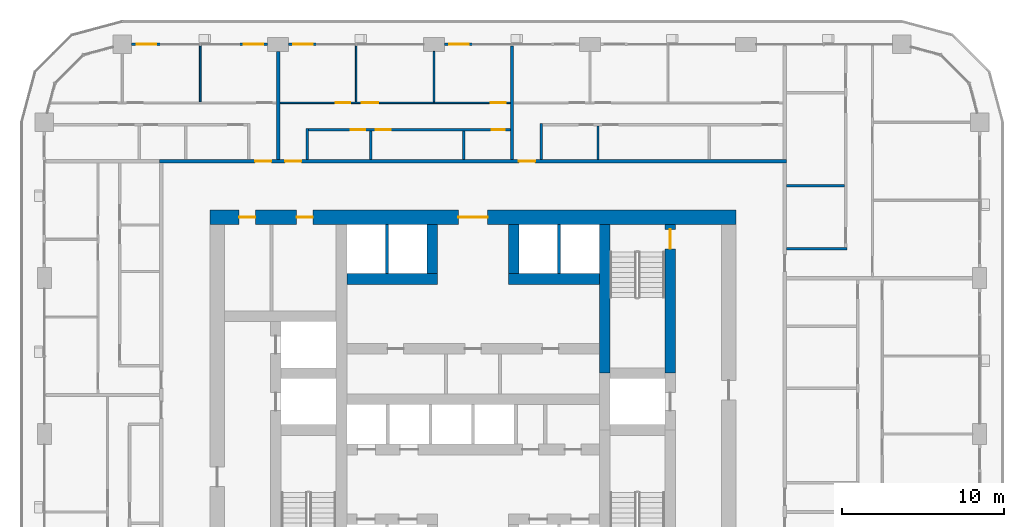
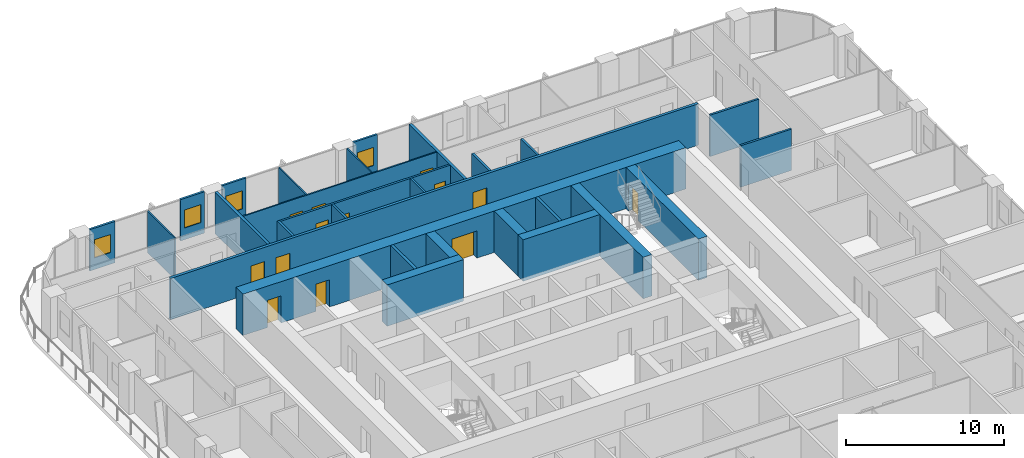
# One storey, part 14 of 22: 28 walls, 13 doors, 4 windows, 17 openings.
"""IFC4 building model written with IfcOpenShell, lengths in metres."""

from ifc_helpers import new_model, si_unit, direction, frame, frame_2d, origin, place, context, subcontext, project, spatial, rectangle, extrude, material, layer, layer_set, type_object, element, fill, save


model = new_model("IFC4")

# Units and contexts
model_context = context("Model", 3, precision=1e-05, world=origin(), true_north=direction((0.0, 1.0)))
body_context = subcontext(model_context, "Body", "Model", "MODEL_VIEW")
ifc_project = project(units=[si_unit("LENGTHUNIT", "METRE"), si_unit("AREAUNIT", "SQUARE_METRE"), si_unit("VOLUMEUNIT", "CUBIC_METRE"), si_unit("PLANEANGLEUNIT", "RADIAN"), si_unit("MASSUNIT", "GRAM", prefix="KILO")], contexts=[model_context])

# Site, building, storey
site_placement = place(None, origin())
site = spatial("IfcSite", under=ifc_project, at=site_placement, CompositionType="ELEMENT")
building_placement = place(site_placement, origin())
building = spatial("IfcBuilding", under=site, at=building_placement, Name="Madar Terraces", CompositionType="ELEMENT")
storey_placement = place(building_placement, frame((0.0, 0.0, 76.800048828125)))
storey = spatial("IfcBuildingStorey", under=building, at=storey_placement, Name="L19", CompositionType="ELEMENT", Elevation=76.800048828125)

# Wall
ifc_material_1 = material(Name="Concrete C80/95", Category="concrete")
ifc_layer_1 = layer(ifc_material_1, 0.64990234375)
ifc_layer_set_1 = layer_set([ifc_layer_1], Name="Concrete C80/95 (CIW2 RC wall 650)")
wall_type_1 = type_object("IfcWallType", Name="CIW2 RC wall 650", PredefinedType="SHEAR", material=ifc_layer_set_1)
wall_1_placement = place(storey_placement, frame((39.300048828125, 27.75, 0.0), z_axis=(0.0, 0.0, 1.0), x_axis=(0.0, 1.0, 0.0)))
element("IfcWall", 1, at=wall_1_placement, inside=storey, type_object=wall_type_1, Name="CORE SHAFT WALL", PredefinedType="SHEAR", context=body_context, shape_type="SweptSolid", body=[
    extrude(rectangle(XDim=9.14990234375, YDim=0.64990234375, at=frame_2d((4.574951171875, 0.0))), origin(), (0.0, 0.0, 1.0), 3.199951171875),
])

# Wall, opening, door
wall_2_placement = place(storey_placement, frame((43.35009765625, 27.75, 0.0), z_axis=(0.0, 0.0, 1.0), x_axis=(0.0, 1.0, 0.0)))
wall_2 = element("IfcWall", 2, at=wall_2_placement, inside=storey, type_object=wall_type_1, Name="CORE SHAFT WALL", PredefinedType="SHEAR", context=body_context, shape_type="SweptSolid", body=[
    extrude(rectangle(XDim=9.14990234375, YDim=0.64990234375, at=frame_2d((4.574951171875, 0.0))), origin(), (0.0, 0.0, 1.0), 3.199951171875),
])
opening_1_placement = place(wall_2_placement, frame((7.64990234375, 0.0, 0.0)))
opening_1 = element("IfcOpeningElement", 3, at=opening_1_placement, cuts=wall_2, Name="Opening SD1", PredefinedType="OPENING", context=body_context, shape_type="SweptSolid", body=[
    extrude(rectangle(XDim=1.199951171875, YDim=2.10009765625, at=frame_2d((0.60009765625, 1.050048828125))), frame((0.0, 0.3349609375, 0.0), z_axis=(0.0, -1.0, 0.0), x_axis=(1.0, 0.0, 0.0)), (0.0, 0.0, 1.0), 0.669921875),
])
ifc_material_2 = material(Name="Steel door leaf", Category="steel")
door_type_1 = type_object("IfcDoorType", Name="Stair door 1200 x 2100", OperationType="NOTDEFINED", PredefinedType="DOOR", material=ifc_material_2)
door_1_placement = place(opening_1_placement, origin())
door_1 = element("IfcDoor", 4, at=door_1_placement, inside=storey, type_object=door_type_1, Name="STAIR DOOR", OperationType="SINGLE_SWING_LEFT", OverallHeight=2.10009765625, OverallWidth=1.199951171875, PredefinedType="DOOR", context=body_context, shape_type="SweptSolid", body=[
    extrude(rectangle(XDim=1.199951171875, YDim=2.10009765625, at=frame_2d((0.60009765625, 1.050048828125))), frame((0.0, 0.02490234375, 0.0), z_axis=(0.0, -1.0, 0.0), x_axis=(1.0, 0.0, 0.0)), (0.0, 0.0, 1.0), 0.050048828125),
])
fill(opening_1, door_1)

# Walls
wall_3_placement = place(storey_placement, frame((23.425048828125, 33.550048828125, 0.0), z_axis=(0.0, 0.0, 1.0), x_axis=(1.0, 0.0, 0.0)))
element("IfcWall", 5, at=wall_3_placement, inside=storey, type_object=wall_type_1, Name="CORE SHAFT WALL", PredefinedType="SHEAR", context=body_context, shape_type="SweptSolid", body=[
    extrude(rectangle(XDim=5.599853515625, YDim=0.64990234375, at=frame_2d((2.7998046875, 0.0))), origin(), (0.0, 0.0, 1.0), 3.199951171875),
])
wall_4_placement = place(storey_placement, frame((33.375, 33.550048828125, 0.0), z_axis=(0.0, 0.0, 1.0), x_axis=(1.0, 0.0, 0.0)))
element("IfcWall", 6, at=wall_4_placement, inside=storey, type_object=wall_type_1, Name="CORE SHAFT WALL", PredefinedType="SHEAR", context=body_context, shape_type="SweptSolid", body=[
    extrude(rectangle(XDim=5.60009765625, YDim=0.64990234375, at=frame_2d((2.800048828125, 0.0))), origin(), (0.0, 0.0, 1.0), 3.199951171875),
])
for number, where, z_axis, x_axis, name in (
    (7, (28.699951171875, 33.875, 0.0), (0.0, 0.0, 1.0), (0.0, 1.0, 0.0), "CORE SHAFT WALL"),
    (8, (33.699951171875, 33.875, 0.0), (0.0, 0.0, 1.0), (0.0, 1.0, 0.0), "CORE SHAFT WALL"),
):
    element("IfcWall", number, at=place(storey_placement, frame(where, z_axis=z_axis, x_axis=x_axis)), inside=storey, type_object=wall_type_1, Name=name, PredefinedType="SHEAR", context=body_context, shape_type="SweptSolid", body=[
        extrude(rectangle(XDim=3.02490234375, YDim=0.64990234375, at=frame_2d((1.512451171875, 0.0))), origin(), (0.0, 0.0, 1.0), 3.199951171875),
    ])

# Wall, openings, doors
ifc_material_3 = material(Name="Concrete C80/95", Category="concrete")
ifc_layer_2 = layer(ifc_material_3, 0.89990234375)
ifc_layer_set_2 = layer_set([ifc_layer_2], Name="Concrete C80/95 (CRW2 RC wall 900)")
wall_type_2 = type_object("IfcWallType", Name="CRW2 RC wall 900", PredefinedType="SHEAR", material=ifc_layer_set_2)
wall_5_placement = place(storey_placement, frame((15.0, 37.35009765625, 0.0), z_axis=(0.0, 0.0, 1.0), x_axis=(1.0, 0.0, 0.0)))
wall_5 = element("IfcWall", 9, at=wall_5_placement, inside=storey, type_object=wall_type_2, Name="CORE OUTER WALL", PredefinedType="SHEAR", context=body_context, shape_type="SweptSolid", body=[
    extrude(rectangle(XDim=32.39990234375, YDim=0.89990234375, at=frame_2d((16.199951171875, 0.0))), origin(), (0.0, 0.0, 1.0), 3.199951171875),
])
opening_2_placement = place(wall_5_placement, frame((15.300048828125, 0.0, 0.0)))
opening_2 = element("IfcOpeningElement", 10, at=opening_2_placement, cuts=wall_5, Name="Opening KD1", PredefinedType="OPENING", context=body_context, shape_type="SweptSolid", body=[
    extrude(rectangle(XDim=1.800048828125, YDim=2.10009765625, at=frame_2d((0.89990234375, 1.050048828125))), frame((0.0, 0.4599609375, 0.0), z_axis=(0.0, -1.0, 0.0), x_axis=(1.0, 0.0, 0.0)), (0.0, 0.0, 1.0), 0.919921875),
])
opening_3_placement = place(wall_5_placement, frame((1.793701171875, 0.0, 0.0)))
opening_3 = element("IfcOpeningElement", 11, at=opening_3_placement, cuts=wall_5, Name="Opening KD2", PredefinedType="OPENING", context=body_context, shape_type="SweptSolid", body=[
    extrude(rectangle(XDim=1.0, YDim=2.10009765625, at=frame_2d((0.5, 1.050048828125))), frame((0.0, 0.4599609375, 0.0), z_axis=(0.0, -1.0, 0.0), x_axis=(1.0, 0.0, 0.0)), (0.0, 0.0, 1.0), 0.919921875),
])
opening_4_placement = place(wall_5_placement, frame((5.331298828125, 0.0, 0.0)))
opening_4 = element("IfcOpeningElement", 12, at=opening_4_placement, cuts=wall_5, Name="Opening KD2", PredefinedType="OPENING", context=body_context, shape_type="SweptSolid", body=[
    extrude(rectangle(XDim=1.0, YDim=2.10009765625, at=frame_2d((0.5, 1.050048828125))), frame((0.0, 0.4599609375, 0.0), z_axis=(0.0, -1.0, 0.0), x_axis=(1.0, 0.0, 0.0)), (0.0, 0.0, 1.0), 0.919921875),
])
ifc_material_4 = material(Name="Steel door leaf", Category="steel")
door_type_2 = type_object("IfcDoorType", Name="Lobby door pair 1800 x 2100", OperationType="DOUBLE_DOOR_SINGLE_SWING", PredefinedType="DOOR", material=ifc_material_4)
door_2_placement = place(opening_2_placement, origin())
door_2 = element("IfcDoor", 13, at=door_2_placement, inside=storey, type_object=door_type_2, Name="LIFT LOBBY DOOR", OperationType="DOUBLE_DOOR_SINGLE_SWING", OverallHeight=2.10009765625, OverallWidth=1.800048828125, PredefinedType="DOOR", context=body_context, shape_type="SweptSolid", body=[
    extrude(rectangle(XDim=1.800048828125, YDim=2.10009765625, at=frame_2d((0.89990234375, 1.050048828125))), frame((0.0, 0.02490234375, 0.0), z_axis=(0.0, -1.0, 0.0), x_axis=(1.0, 0.0, 0.0)), (0.0, 0.0, 1.0), 0.050048828125),
])
fill(opening_2, door_2)
ifc_material_5 = material(Name="Steel door leaf", Category="steel")
door_type_3 = type_object("IfcDoorType", Name="Service room door 1000 x 2100", OperationType="NOTDEFINED", PredefinedType="DOOR", material=ifc_material_5)
door_3_placement = place(opening_3_placement, origin())
door_3 = element("IfcDoor", 14, at=door_3_placement, inside=storey, type_object=door_type_3, Name="SERVICE ROOM DOOR", OperationType="SINGLE_SWING_RIGHT", OverallHeight=2.10009765625, OverallWidth=1.0, PredefinedType="DOOR", context=body_context, shape_type="SweptSolid", body=[
    extrude(rectangle(XDim=1.0, YDim=2.10009765625, at=frame_2d((0.5, 1.050048828125))), frame((0.0, 0.02490234375, 0.0), z_axis=(0.0, -1.0, 0.0), x_axis=(1.0, 0.0, 0.0)), (0.0, 0.0, 1.0), 0.050048828125),
])
fill(opening_3, door_3)
door_4_placement = place(opening_4_placement, origin())
door_4 = element("IfcDoor", 15, at=door_4_placement, inside=storey, type_object=door_type_3, Name="SERVICE ROOM DOOR", OperationType="SINGLE_SWING_LEFT", OverallHeight=2.10009765625, OverallWidth=1.0, PredefinedType="DOOR", context=body_context, shape_type="SweptSolid", body=[
    extrude(rectangle(XDim=1.0, YDim=2.10009765625, at=frame_2d((0.5, 1.050048828125))), frame((0.0, 0.02490234375, 0.0), z_axis=(0.0, -1.0, 0.0), x_axis=(1.0, 0.0, 0.0)), (0.0, 0.0, 1.0), 0.050048828125),
])
fill(opening_4, door_4)

# Walls
ifc_material_6 = material(Name="Concrete C40/50", Category="concrete")
ifc_layer_3 = layer(ifc_material_6, 0.199951171875)
ifc_layer_set_3 = layer_set([ifc_layer_3], Name="Core shaft dividing wall 200 C40/50")
wall_type_3 = type_object("IfcWallType", Name="Core shaft dividing wall 200 C40/50", PredefinedType="SOLIDWALL", material=ifc_layer_set_3)
for number, where, z_axis, x_axis, name in (
    (16, (25.89990234375, 33.875, 0.0), (0.0, 0.0, 1.0), (0.0, 1.0, 0.0), "SHAFT DIVIDING WALL"),
    (17, (36.5, 33.875, 0.0), (0.0, 0.0, 1.0), (0.0, 1.0, 0.0), "SHAFT DIVIDING WALL"),
):
    element("IfcWall", number, at=place(storey_placement, frame(where, z_axis=z_axis, x_axis=x_axis)), inside=storey, type_object=wall_type_3, Name=name, PredefinedType="SOLIDWALL", context=body_context, shape_type="SweptSolid", body=[
        extrude(rectangle(XDim=3.02490234375, YDim=0.199951171875, at=frame_2d((1.512451171875, 0.0))), origin(), (0.0, 0.0, 1.0), 3.199951171875),
    ])

# Wall, opening, window
ifc_material_7 = material(Name="Aluminium composite panel, black, over insulated backing", Category="aluminium")
ifc_layer_4 = layer(ifc_material_7, 0.14990234375)
ifc_layer_set_4 = layer_set([ifc_layer_4], Name="Facade bay panel 150")
wall_type_4 = type_object("IfcWallType", Name="Facade bay panel 150", PredefinedType="SOLIDWALL", material=ifc_layer_set_4)
wall_6_placement = place(storey_placement, frame((31.199951171875, 48.0, 0.0), z_axis=(0.0, 0.0, 1.0), x_axis=(-1.0, 0.0, 0.0)))
wall_6 = element("IfcWall", 18, at=wall_6_placement, inside=storey, type_object=wall_type_4, Name="Facade bay panel", PredefinedType="SOLIDWALL", context=body_context, shape_type="SweptSolid", body=[
    extrude(rectangle(XDim=1.75, YDim=0.14990234375, at=frame_2d((0.875, 0.0))), origin(), (0.0, 0.0, 1.0), 3.199951171875),
])
opening_5_placement = place(wall_6_placement, frame((0.27490234375, 0.0, 0.89990234375)))
opening_5 = element("IfcOpeningElement", 19, at=opening_5_placement, cuts=wall_6, Name="Opening W1", PredefinedType="OPENING", context=body_context, shape_type="SweptSolid", body=[
    extrude(rectangle(XDim=1.199951171875, YDim=1.39990234375, at=frame_2d((0.60009765625, 0.699951171875))), frame((0.0, 0.0849609375, 0.0), z_axis=(0.0, -1.0, 0.0), x_axis=(1.0, 0.0, 0.0)), (0.0, 0.0, 1.0), 0.169921875),
])
ifc_material_8 = material(Name="Glass, clear, with black aluminium frame", Category="aluminium")
window_type = type_object("IfcWindowType", Name="Vent window 1200 x 1400", PartitioningType="SINGLE_PANEL", PredefinedType="WINDOW", material=ifc_material_8)
window_1_placement = place(opening_5_placement, origin())
window_1 = element("IfcWindow", 20, at=window_1_placement, inside=storey, type_object=window_type, Name="Operable vent window", OverallHeight=1.39990234375, OverallWidth=1.199951171875, PartitioningType="SINGLE_PANEL", PredefinedType="WINDOW", context=body_context, shape_type="SweptSolid", body=[
    extrude(rectangle(XDim=1.199951171875, YDim=1.39990234375, at=frame_2d((0.60009765625, 0.699951171875))), frame((0.0, 0.030029296875, 0.0), z_axis=(0.0, -1.0, 0.0), x_axis=(1.0, 0.0, 0.0)), (0.0, 0.0, 1.0), 0.06005859375),
])
fill(opening_5, window_1)

wall_7_placement = place(storey_placement, frame((21.60009765625, 48.0, 0.0), z_axis=(0.0, 0.0, 1.0), x_axis=(-1.0, 0.0, 0.0)))
wall_7 = element("IfcWall", 21, at=wall_7_placement, inside=storey, type_object=wall_type_4, Name="Facade bay panel", PredefinedType="SOLIDWALL", context=body_context, shape_type="SweptSolid", body=[
    extrude(rectangle(XDim=1.75, YDim=0.14990234375, at=frame_2d((0.875, 0.0))), origin(), (0.0, 0.0, 1.0), 3.199951171875),
])
opening_6_placement = place(wall_7_placement, frame((0.27490234375, 0.0, 0.89990234375)))
opening_6 = element("IfcOpeningElement", 22, at=opening_6_placement, cuts=wall_7, Name="Opening W1", PredefinedType="OPENING", context=body_context, shape_type="SweptSolid", body=[
    extrude(rectangle(XDim=1.199951171875, YDim=1.39990234375, at=frame_2d((0.60009765625, 0.699951171875))), frame((0.0, 0.0849609375, 0.0), z_axis=(0.0, -1.0, 0.0), x_axis=(1.0, 0.0, 0.0)), (0.0, 0.0, 1.0), 0.169921875),
])
window_2_placement = place(opening_6_placement, origin())
window_2 = element("IfcWindow", 23, at=window_2_placement, inside=storey, type_object=window_type, Name="Operable vent window", OverallHeight=1.39990234375, OverallWidth=1.199951171875, PartitioningType="SINGLE_PANEL", PredefinedType="WINDOW", context=body_context, shape_type="SweptSolid", body=[
    extrude(rectangle(XDim=1.199951171875, YDim=1.39990234375, at=frame_2d((0.60009765625, 0.699951171875))), frame((0.0, 0.030029296875, 0.0), z_axis=(0.0, -1.0, 0.0), x_axis=(1.0, 0.0, 0.0)), (0.0, 0.0, 1.0), 0.06005859375),
])
fill(opening_6, window_2)

wall_8_placement = place(storey_placement, frame((18.550048828125, 48.0, 0.0), z_axis=(0.0, 0.0, 1.0), x_axis=(-1.0, 0.0, 0.0)))
wall_8 = element("IfcWall", 24, at=wall_8_placement, inside=storey, type_object=wall_type_4, Name="Facade bay panel", PredefinedType="SOLIDWALL", context=body_context, shape_type="SweptSolid", body=[
    extrude(rectangle(XDim=1.75, YDim=0.14990234375, at=frame_2d((0.875, 0.0))), origin(), (0.0, 0.0, 1.0), 3.199951171875),
])
opening_7_placement = place(wall_8_placement, frame((0.27490234375, 0.0, 0.89990234375)))
opening_7 = element("IfcOpeningElement", 25, at=opening_7_placement, cuts=wall_8, Name="Opening W1", PredefinedType="OPENING", context=body_context, shape_type="SweptSolid", body=[
    extrude(rectangle(XDim=1.199951171875, YDim=1.39990234375, at=frame_2d((0.60009765625, 0.699951171875))), frame((0.0, 0.0849609375, 0.0), z_axis=(0.0, -1.0, 0.0), x_axis=(1.0, 0.0, 0.0)), (0.0, 0.0, 1.0), 0.169921875),
])
window_3_placement = place(opening_7_placement, origin())
window_3 = element("IfcWindow", 26, at=window_3_placement, inside=storey, type_object=window_type, Name="Operable vent window", OverallHeight=1.39990234375, OverallWidth=1.199951171875, PartitioningType="SINGLE_PANEL", PredefinedType="WINDOW", context=body_context, shape_type="SweptSolid", body=[
    extrude(rectangle(XDim=1.199951171875, YDim=1.39990234375, at=frame_2d((0.60009765625, 0.699951171875))), frame((0.0, 0.030029296875, 0.0), z_axis=(0.0, -1.0, 0.0), x_axis=(1.0, 0.0, 0.0)), (0.0, 0.0, 1.0), 0.06005859375),
])
fill(opening_7, window_3)

wall_9_placement = place(storey_placement, frame((12.0, 48.0, 0.0), z_axis=(0.0, 0.0, 1.0), x_axis=(-1.0, 0.0, 0.0)))
wall_9 = element("IfcWall", 27, at=wall_9_placement, inside=storey, type_object=wall_type_4, Name="Facade bay panel", PredefinedType="SOLIDWALL", context=body_context, shape_type="SweptSolid", body=[
    extrude(rectangle(XDim=1.824951171875, YDim=0.14990234375, at=frame_2d((0.91259765625, 0.0))), origin(), (0.0, 0.0, 1.0), 3.199951171875),
])
opening_8_placement = place(wall_9_placement, frame((0.3125, 0.0, 0.89990234375)))
opening_8 = element("IfcOpeningElement", 28, at=opening_8_placement, cuts=wall_9, Name="Opening W1", PredefinedType="OPENING", context=body_context, shape_type="SweptSolid", body=[
    extrude(rectangle(XDim=1.199951171875, YDim=1.39990234375, at=frame_2d((0.60009765625, 0.699951171875))), frame((0.0, 0.0849609375, 0.0), z_axis=(0.0, -1.0, 0.0), x_axis=(1.0, 0.0, 0.0)), (0.0, 0.0, 1.0), 0.169921875),
])
window_4_placement = place(opening_8_placement, origin())
window_4 = element("IfcWindow", 29, at=window_4_placement, inside=storey, type_object=window_type, Name="Operable vent window", OverallHeight=1.39990234375, OverallWidth=1.199951171875, PartitioningType="SINGLE_PANEL", PredefinedType="WINDOW", context=body_context, shape_type="SweptSolid", body=[
    extrude(rectangle(XDim=1.199951171875, YDim=1.39990234375, at=frame_2d((0.60009765625, 0.699951171875))), frame((0.0, 0.030029296875, 0.0), z_axis=(0.0, -1.0, 0.0), x_axis=(1.0, 0.0, 0.0)), (0.0, 0.0, 1.0), 0.06005859375),
])
fill(opening_8, window_4)

# Walls
ifc_material_9 = material(Name="Gypsum board on steel studs", Category="steel")
ifc_layer_5 = layer(ifc_material_9, 0.10009765625)
ifc_layer_set_5 = layer_set([ifc_layer_5], Name="Flat partition 100")
wall_type_5 = type_object("IfcWallType", Name="Flat partition 100", PredefinedType="PARTITIONING", material=ifc_layer_set_5)
wall_10_placement = place(storey_placement, frame((24.0, 44.449951171875, 0.0), z_axis=(0.0, 0.0, 1.0), x_axis=(0.0, 1.0, 0.0)))
element("IfcWall", 30, at=wall_10_placement, inside=storey, type_object=wall_type_5, Name="Flat partition 100", PredefinedType="PARTITIONING", context=body_context, shape_type="SweptSolid", body=[
    extrude(rectangle(XDim=3.449951171875, YDim=0.10009765625, at=frame_2d((1.72509765625, 0.0))), origin(), (0.0, 0.0, 1.0), 3.199951171875),
])
wall_11_placement = place(storey_placement, frame((28.800048828125, 44.449951171875, 0.0), z_axis=(0.0, 0.0, 1.0), x_axis=(0.0, 1.0, 0.0)))
element("IfcWall", 31, at=wall_11_placement, inside=storey, type_object=wall_type_5, Name="Flat partition 100", PredefinedType="PARTITIONING", context=body_context, shape_type="SweptSolid", body=[
    extrude(rectangle(XDim=3.125, YDim=0.10009765625, at=frame_2d((1.5625, 0.0))), origin(), (0.0, 0.0, 1.0), 3.199951171875),
])

# Wall, openings, doors
wall_12_placement = place(storey_placement, frame((19.300048828125, 44.39990234375, 0.0), z_axis=(0.0, 0.0, 1.0), x_axis=(1.0, 0.0, 0.0)))
wall_12 = element("IfcWall", 32, at=wall_12_placement, inside=storey, type_object=wall_type_5, Name="Flat partition 100", PredefinedType="PARTITIONING", context=body_context, shape_type="SweptSolid", body=[
    extrude(rectangle(XDim=14.199951171875, YDim=0.10009765625, at=frame_2d((7.10009765625, 0.0))), origin(), (0.0, 0.0, 1.0), 3.199951171875),
])
opening_9_placement = place(wall_12_placement, frame((3.449951171875, 0.0, 0.0)))
opening_9 = element("IfcOpeningElement", 33, at=opening_9_placement, cuts=wall_12, Name="Opening D2", PredefinedType="OPENING", context=body_context, shape_type="SweptSolid", body=[
    extrude(rectangle(XDim=0.89990234375, YDim=2.10009765625, at=frame_2d((0.449951171875, 1.050048828125))), frame((0.0, 0.06005859375, 0.0), z_axis=(0.0, -1.0, 0.0), x_axis=(1.0, 0.0, 0.0)), (0.0, 0.0, 1.0), 0.1201171875),
])
opening_10_placement = place(wall_12_placement, frame((5.050048828125, 0.0, 0.0)))
opening_10 = element("IfcOpeningElement", 34, at=opening_10_placement, cuts=wall_12, Name="Opening D3", PredefinedType="OPENING", context=body_context, shape_type="SweptSolid", body=[
    extrude(rectangle(XDim=1.0, YDim=2.10009765625, at=frame_2d((0.5, 1.050048828125))), frame((0.0, 0.06005859375, 0.0), z_axis=(0.0, -1.0, 0.0), x_axis=(1.0, 0.0, 0.0)), (0.0, 0.0, 1.0), 0.1201171875),
])
opening_11_placement = place(wall_12_placement, frame((13.0, 0.0, 0.0)))
opening_11 = element("IfcOpeningElement", 35, at=opening_11_placement, cuts=wall_12, Name="Opening D2", PredefinedType="OPENING", context=body_context, shape_type="SweptSolid", body=[
    extrude(rectangle(XDim=0.89990234375, YDim=2.10009765625, at=frame_2d((0.449951171875, 1.050048828125))), frame((0.0, 0.06005859375, 0.0), z_axis=(0.0, -1.0, 0.0), x_axis=(1.0, 0.0, 0.0)), (0.0, 0.0, 1.0), 0.1201171875),
])
ifc_material_10 = material(Name="Timber door leaf", Category="wood")
door_type_4 = type_object("IfcDoorType", Name="Flat living room door 1000", OperationType="NOTDEFINED", PredefinedType="DOOR", material=ifc_material_10)
door_5_placement = place(opening_10_placement, origin())
door_5 = element("IfcDoor", 36, at=door_5_placement, inside=storey, type_object=door_type_4, Name="Flat living room door 1000", OperationType="SINGLE_SWING_LEFT", OverallHeight=2.10009765625, OverallWidth=1.0, PredefinedType="DOOR", context=body_context, shape_type="SweptSolid", body=[
    extrude(rectangle(XDim=1.0, YDim=2.10009765625, at=frame_2d((0.5, 1.050048828125))), frame((0.0, 0.02490234375, 0.0), z_axis=(0.0, -1.0, 0.0), x_axis=(1.0, 0.0, 0.0)), (0.0, 0.0, 1.0), 0.050048828125),
])
fill(opening_10, door_5)
ifc_material_11 = material(Name="Timber door leaf", Category="wood")
door_type_5 = type_object("IfcDoorType", Name="Flat room door 900", OperationType="NOTDEFINED", PredefinedType="DOOR", material=ifc_material_11)
door_6_placement = place(opening_9_placement, origin())
door_6 = element("IfcDoor", 37, at=door_6_placement, inside=storey, type_object=door_type_5, Name="Flat room door 900", OperationType="SINGLE_SWING_RIGHT", OverallHeight=2.10009765625, OverallWidth=0.89990234375, PredefinedType="DOOR", context=body_context, shape_type="SweptSolid", body=[
    extrude(rectangle(XDim=0.89990234375, YDim=2.10009765625, at=frame_2d((0.449951171875, 1.050048828125))), frame((0.0, 0.02490234375, 0.0), z_axis=(0.0, -1.0, 0.0), x_axis=(1.0, 0.0, 0.0)), (0.0, 0.0, 1.0), 0.050048828125),
])
fill(opening_9, door_6)
door_7_placement = place(opening_11_placement, origin())
door_7 = element("IfcDoor", 38, at=door_7_placement, inside=storey, type_object=door_type_5, Name="Flat room door 900", OperationType="SINGLE_SWING_RIGHT", OverallHeight=2.10009765625, OverallWidth=0.89990234375, PredefinedType="DOOR", context=body_context, shape_type="SweptSolid", body=[
    extrude(rectangle(XDim=0.89990234375, YDim=2.10009765625, at=frame_2d((0.449951171875, 1.050048828125))), frame((0.0, 0.02490234375, 0.0), z_axis=(0.0, -1.0, 0.0), x_axis=(1.0, 0.0, 0.0)), (0.0, 0.0, 1.0), 0.050048828125),
])
fill(opening_11, door_7)

# Wall
wall_13_placement = place(storey_placement, frame((14.39990234375, 44.449951171875, 0.0), z_axis=(0.0, 0.0, 1.0), x_axis=(0.0, 1.0, 0.0)))
element("IfcWall", 39, at=wall_13_placement, inside=storey, type_object=wall_type_5, Name="Flat partition 100", PredefinedType="PARTITIONING", context=body_context, shape_type="SweptSolid", body=[
    extrude(rectangle(XDim=3.449951171875, YDim=0.10009765625, at=frame_2d((1.72509765625, 0.0))), origin(), (0.0, 0.0, 1.0), 3.199951171875),
])

# Wall, openings, doors
ifc_material_12 = material(Name="Lightweight blockwork", Category="masonry")
ifc_layer_6 = layer(ifc_material_12, 0.199951171875)
ifc_layer_set_6 = layer_set([ifc_layer_6], Name="Flat party and entrance wall 200")
wall_type_6 = type_object("IfcWallType", Name="Flat party and entrance wall 200", PredefinedType="PARTITIONING", material=ifc_layer_set_6)
wall_14_placement = place(storey_placement, frame((11.89990234375, 40.800048828125, 0.0), z_axis=(0.0, 0.0, 1.0), x_axis=(1.0, 0.0, 0.0)))
wall_14 = element("IfcWall", 40, at=wall_14_placement, inside=storey, type_object=wall_type_6, Name="Flat party and entrance wall 200", PredefinedType="PARTITIONING", context=body_context, shape_type="SweptSolid", body=[
    extrude(rectangle(XDim=38.60009765625, YDim=0.199951171875, at=frame_2d((19.300048828125, 0.0))), origin(), (0.0, 0.0, 1.0), 3.199951171875),
])
opening_12_placement = place(wall_14_placement, frame((22.125, 0.0, 0.0)))
opening_12 = element("IfcOpeningElement", 41, at=opening_12_placement, cuts=wall_14, Name="Opening D1", PredefinedType="OPENING", context=body_context, shape_type="SweptSolid", body=[
    extrude(rectangle(XDim=1.0, YDim=2.10009765625, at=frame_2d((0.5, 1.050048828125))), frame((0.0, 0.10986328125, 0.0), z_axis=(0.0, -1.0, 0.0), x_axis=(1.0, 0.0, 0.0)), (0.0, 0.0, 1.0), 0.219970703125),
])
opening_13_placement = place(wall_14_placement, frame((7.72509765625, 0.0, 0.0)))
opening_13 = element("IfcOpeningElement", 42, at=opening_13_placement, cuts=wall_14, Name="Opening D1", PredefinedType="OPENING", context=body_context, shape_type="SweptSolid", body=[
    extrude(rectangle(XDim=1.0, YDim=2.10009765625, at=frame_2d((0.5, 1.050048828125))), frame((0.0, 0.10986328125, 0.0), z_axis=(0.0, -1.0, 0.0), x_axis=(1.0, 0.0, 0.0)), (0.0, 0.0, 1.0), 0.219970703125),
])
opening_14_placement = place(wall_14_placement, frame((5.875, 0.0, 0.0)))
opening_14 = element("IfcOpeningElement", 43, at=opening_14_placement, cuts=wall_14, Name="Opening D1", PredefinedType="OPENING", context=body_context, shape_type="SweptSolid", body=[
    extrude(rectangle(XDim=1.0, YDim=2.10009765625, at=frame_2d((0.5, 1.050048828125))), frame((0.0, 0.10986328125, 0.0), z_axis=(0.0, -1.0, 0.0), x_axis=(1.0, 0.0, 0.0)), (0.0, 0.0, 1.0), 0.219970703125),
])
ifc_material_13 = material(Name="Timber fire door leaf", Category="wood")
door_type_6 = type_object("IfcDoorType", Name="Flat entrance door 1000 FD30S", OperationType="NOTDEFINED", PredefinedType="DOOR", material=ifc_material_13)
door_8_placement = place(opening_12_placement, origin())
door_8 = element("IfcDoor", 44, at=door_8_placement, inside=storey, type_object=door_type_6, Name="Flat entrance door 1000 FD30S", OperationType="SINGLE_SWING_LEFT", OverallHeight=2.10009765625, OverallWidth=1.0, PredefinedType="DOOR", context=body_context, shape_type="SweptSolid", body=[
    extrude(rectangle(XDim=1.0, YDim=2.10009765625, at=frame_2d((0.5, 1.050048828125))), frame((0.0, 0.02490234375, 0.0), z_axis=(0.0, -1.0, 0.0), x_axis=(1.0, 0.0, 0.0)), (0.0, 0.0, 1.0), 0.050048828125),
])
fill(opening_12, door_8)
door_9_placement = place(opening_13_placement, origin())
door_9 = element("IfcDoor", 45, at=door_9_placement, inside=storey, type_object=door_type_6, Name="Flat entrance door 1000 FD30S", OperationType="SINGLE_SWING_LEFT", OverallHeight=2.10009765625, OverallWidth=1.0, PredefinedType="DOOR", context=body_context, shape_type="SweptSolid", body=[
    extrude(rectangle(XDim=1.0, YDim=2.10009765625, at=frame_2d((0.5, 1.050048828125))), frame((0.0, 0.02490234375, 0.0), z_axis=(0.0, -1.0, 0.0), x_axis=(1.0, 0.0, 0.0)), (0.0, 0.0, 1.0), 0.050048828125),
])
fill(opening_13, door_9)
door_10_placement = place(opening_14_placement, origin())
door_10 = element("IfcDoor", 46, at=door_10_placement, inside=storey, type_object=door_type_6, Name="Flat entrance door 1000 FD30S", OperationType="SINGLE_SWING_RIGHT", OverallHeight=2.10009765625, OverallWidth=1.0, PredefinedType="DOOR", context=body_context, shape_type="SweptSolid", body=[
    extrude(rectangle(XDim=1.0, YDim=2.10009765625, at=frame_2d((0.5, 1.050048828125))), frame((0.0, 0.02490234375, 0.0), z_axis=(0.0, -1.0, 0.0), x_axis=(1.0, 0.0, 0.0)), (0.0, 0.0, 1.0), 0.050048828125),
])
fill(opening_14, door_10)

# Walls
wall_15_placement = place(storey_placement, frame((33.60009765625, 47.89990234375, 0.0), z_axis=(0.0, 0.0, 1.0), x_axis=(0.0, -1.0, 0.0)))
element("IfcWall", 47, at=wall_15_placement, inside=storey, type_object=wall_type_6, Name="Flat party and entrance wall 200", PredefinedType="PARTITIONING", context=body_context, shape_type="SweptSolid", body=[
    extrude(rectangle(XDim=7.0, YDim=0.199951171875, at=frame_2d((3.5, 0.0))), origin(), (0.0, 0.0, 1.0), 3.199951171875),
])
wall_16_placement = place(storey_placement, frame((19.199951171875, 47.574951171875, 0.0), z_axis=(0.0, 0.0, 1.0), x_axis=(0.0, -1.0, 0.0)))
element("IfcWall", 48, at=wall_16_placement, inside=storey, type_object=wall_type_6, Name="Flat party and entrance wall 200", PredefinedType="PARTITIONING", context=body_context, shape_type="SweptSolid", body=[
    extrude(rectangle(XDim=6.675048828125, YDim=0.199951171875, at=frame_2d((3.33740234375, 0.0))), origin(), (0.0, 0.0, 1.0), 3.199951171875),
])
ifc_material_14 = material(Name="Lightweight blockwork", Category="masonry")
ifc_layer_7 = layer(ifc_material_14, 0.14990234375)
ifc_layer_set_7 = layer_set([ifc_layer_7], Name="Flat wet-room partition 150")
wall_type_7 = type_object("IfcWallType", Name="Flat wet-room partition 150", PredefinedType="PARTITIONING", material=ifc_layer_set_7)
wall_17_placement = place(storey_placement, frame((50.5, 39.298095703125, 0.0), z_axis=(0.0, 0.0, 1.0), x_axis=(1.0, 0.0, 0.0)))
element("IfcWall", 49, at=wall_17_placement, inside=storey, type_object=wall_type_7, Name="Flat wet-room partition 150", PredefinedType="PARTITIONING", context=body_context, shape_type="SweptSolid", body=[
    extrude(rectangle(XDim=3.574951171875, YDim=0.14990234375, at=frame_2d((1.78759765625, 0.0))), origin(), (0.0, 0.0, 1.0), 3.199951171875),
])
wall_18_placement = place(storey_placement, frame((50.5, 35.39990234375, 0.0), z_axis=(0.0, 0.0, 1.0), x_axis=(1.0, 0.0, 0.0)))
element("IfcWall", 50, at=wall_18_placement, inside=storey, type_object=wall_type_7, Name="Flat wet-room partition 150", PredefinedType="PARTITIONING", context=body_context, shape_type="SweptSolid", body=[
    extrude(rectangle(XDim=3.72509765625, YDim=0.14990234375, at=frame_2d((1.862548828125, 0.0))), origin(), (0.0, 0.0, 1.0), 3.199951171875),
])
wall_19_placement = place(storey_placement, frame((38.896240234375, 40.89990234375, 0.0), z_axis=(0.0, 0.0, 1.0), x_axis=(0.0, 1.0, 0.0)))
element("IfcWall", 51, at=wall_19_placement, inside=storey, type_object=wall_type_7, Name="Flat wet-room partition 150", PredefinedType="PARTITIONING", context=body_context, shape_type="SweptSolid", body=[
    extrude(rectangle(XDim=2.0751953125, YDim=0.14990234375, at=frame_2d((1.03759765625, 0.0))), origin(), (0.0, 0.0, 1.0), 3.199951171875),
])
wall_20_placement = place(storey_placement, frame((35.39990234375, 40.89990234375, 0.0), z_axis=(0.0, 0.0, 1.0), x_axis=(0.0, 1.0, 0.0)))
element("IfcWall", 52, at=wall_20_placement, inside=storey, type_object=wall_type_7, Name="Flat wet-room partition 150", PredefinedType="PARTITIONING", context=body_context, shape_type="SweptSolid", body=[
    extrude(rectangle(XDim=2.22509765625, YDim=0.14990234375, at=frame_2d((1.112548828125, 0.0))), origin(), (0.0, 0.0, 1.0), 3.199951171875),
])
for number, where, z_axis, x_axis, name in (
    (53, (24.898193359375, 40.89990234375, 0.0), (0.0, 0.0, 1.0), (0.0, 1.0, 0.0), "Flat wet-room partition 150"),
    (54, (30.6328125, 40.89990234375, 0.0), (0.0, 0.0, 1.0), (0.0, 1.0, 0.0), "Flat wet-room partition 150"),
):
    element("IfcWall", number, at=place(storey_placement, frame(where, z_axis=z_axis, x_axis=x_axis)), inside=storey, type_object=wall_type_7, Name=name, PredefinedType="PARTITIONING", context=body_context, shape_type="SweptSolid", body=[
        extrude(rectangle(XDim=1.775146484375, YDim=0.14990234375, at=frame_2d((0.8876953125, 0.0))), origin(), (0.0, 0.0, 1.0), 3.199951171875),
    ])
wall_21_placement = place(storey_placement, frame((21.0, 40.89990234375, 0.0), z_axis=(0.0, 0.0, 1.0), x_axis=(0.0, 1.0, 0.0)))
element("IfcWall", 55, at=wall_21_placement, inside=storey, type_object=wall_type_7, Name="Flat wet-room partition 150", PredefinedType="PARTITIONING", context=body_context, shape_type="SweptSolid", body=[
    extrude(rectangle(XDim=1.925048828125, YDim=0.14990234375, at=frame_2d((0.96240234375, 0.0))), origin(), (0.0, 0.0, 1.0), 3.199951171875),
])

# Wall, openings, doors
wall_22_placement = place(storey_placement, frame((33.5, 42.75, 0.0), z_axis=(0.0, 0.0, 1.0), x_axis=(-1.0, 0.0, 0.0)))
wall_22 = element("IfcWall", 56, at=wall_22_placement, inside=storey, type_object=wall_type_7, Name="Flat wet-room partition 150", PredefinedType="PARTITIONING", context=body_context, shape_type="SweptSolid", body=[
    extrude(rectangle(XDim=12.425048828125, YDim=0.14990234375, at=frame_2d((6.21240234375, 0.0))), origin(), (0.0, 0.0, 1.0), 3.199951171875),
])
opening_15_placement = place(wall_22_placement, frame((8.927001953125, 0.0, 0.0)))
opening_15 = element("IfcOpeningElement", 57, at=opening_15_placement, cuts=wall_22, Name="Opening D5", PredefinedType="OPENING", context=body_context, shape_type="SweptSolid", body=[
    extrude(rectangle(XDim=0.89990234375, YDim=2.10009765625, at=frame_2d((0.449951171875, 1.050048828125))), frame((0.0, 0.0849609375, 0.0), z_axis=(0.0, -1.0, 0.0), x_axis=(1.0, 0.0, 0.0)), (0.0, 0.0, 1.0), 0.169921875),
])
opening_16_placement = place(wall_22_placement, frame((7.376953125, 0.0, 0.0)))
opening_16 = element("IfcOpeningElement", 58, at=opening_16_placement, cuts=wall_22, Name="Opening D2", PredefinedType="OPENING", context=body_context, shape_type="SweptSolid", body=[
    extrude(rectangle(XDim=0.89990234375, YDim=2.10009765625, at=frame_2d((0.449951171875, 1.050048828125))), frame((0.0, 0.0849609375, 0.0), z_axis=(0.0, -1.0, 0.0), x_axis=(1.0, 0.0, 0.0)), (0.0, 0.0, 1.0), 0.169921875),
])
opening_17_placement = place(wall_22_placement, frame((0.35009765625, 0.0, 0.0)))
opening_17 = element("IfcOpeningElement", 59, at=opening_17_placement, cuts=wall_22, Name="Opening D4", PredefinedType="OPENING", context=body_context, shape_type="SweptSolid", body=[
    extrude(rectangle(XDim=0.800048828125, YDim=2.10009765625, at=frame_2d((0.39990234375, 1.050048828125))), frame((0.0, 0.0849609375, 0.0), z_axis=(0.0, -1.0, 0.0), x_axis=(1.0, 0.0, 0.0)), (0.0, 0.0, 1.0), 0.169921875),
])
ifc_material_15 = material(Name="Timber door leaf", Category="wood")
door_type_7 = type_object("IfcDoorType", Name="Flat accessible bathroom door 900", OperationType="NOTDEFINED", PredefinedType="DOOR", material=ifc_material_15)
door_11_placement = place(opening_15_placement, origin())
door_11 = element("IfcDoor", 60, at=door_11_placement, inside=storey, type_object=door_type_7, Name="Flat accessible bathroom door 900", OperationType="SINGLE_SWING_LEFT", OverallHeight=2.10009765625, OverallWidth=0.89990234375, PredefinedType="DOOR", context=body_context, shape_type="SweptSolid", body=[
    extrude(rectangle(XDim=0.89990234375, YDim=2.10009765625, at=frame_2d((0.449951171875, 1.050048828125))), frame((0.0, 0.02490234375, 0.0), z_axis=(0.0, -1.0, 0.0), x_axis=(1.0, 0.0, 0.0)), (0.0, 0.0, 1.0), 0.050048828125),
])
fill(opening_15, door_11)
ifc_material_16 = material(Name="Timber door leaf", Category="wood")
door_type_8 = type_object("IfcDoorType", Name="Flat bathroom door 800", OperationType="NOTDEFINED", PredefinedType="DOOR", material=ifc_material_16)
door_12_placement = place(opening_17_placement, origin())
door_12 = element("IfcDoor", 61, at=door_12_placement, inside=storey, type_object=door_type_8, Name="Flat bathroom door 800", OperationType="SINGLE_SWING_LEFT", OverallHeight=2.10009765625, OverallWidth=0.800048828125, PredefinedType="DOOR", context=body_context, shape_type="SweptSolid", body=[
    extrude(rectangle(XDim=0.800048828125, YDim=2.10009765625, at=frame_2d((0.39990234375, 1.050048828125))), frame((0.0, 0.02490234375, 0.0), z_axis=(0.0, -1.0, 0.0), x_axis=(1.0, 0.0, 0.0)), (0.0, 0.0, 1.0), 0.050048828125),
])
fill(opening_17, door_12)
door_13_placement = place(opening_16_placement, origin())
door_13 = element("IfcDoor", 62, at=door_13_placement, inside=storey, type_object=door_type_5, Name="Flat room door 900", OperationType="SINGLE_SWING_RIGHT", OverallHeight=2.10009765625, OverallWidth=0.89990234375, PredefinedType="DOOR", context=body_context, shape_type="SweptSolid", body=[
    extrude(rectangle(XDim=0.89990234375, YDim=2.10009765625, at=frame_2d((0.449951171875, 1.050048828125))), frame((0.0, 0.02490234375, 0.0), z_axis=(0.0, -1.0, 0.0), x_axis=(1.0, 0.0, 0.0)), (0.0, 0.0, 1.0), 0.050048828125),
])
fill(opening_16, door_13)

save(model, "model.ifc")
